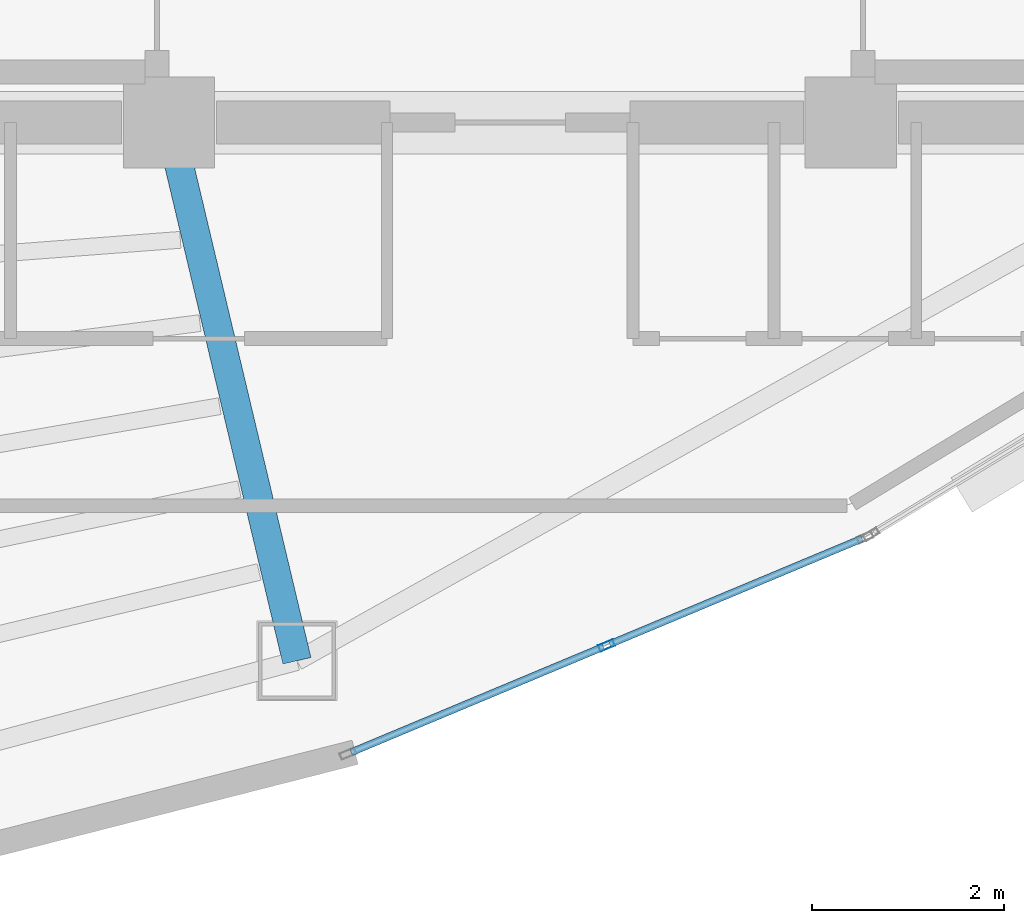
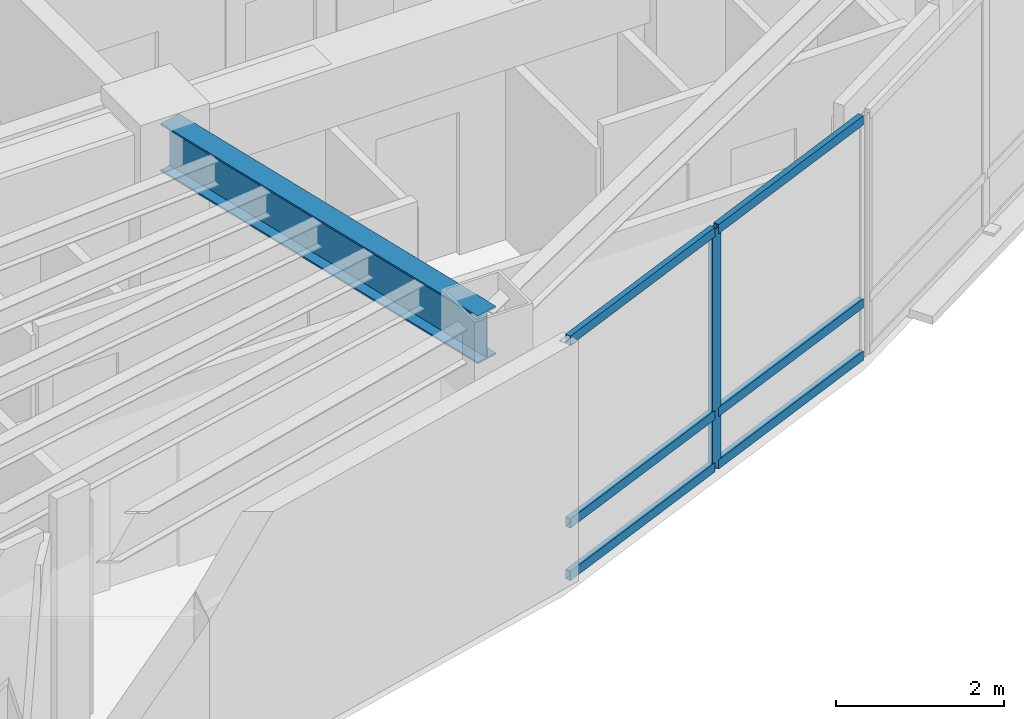
# One storey, part 3 of 15: 7 members, 1 beam, 1 element without a shape of its own.
"""IFC4 building model written with IfcOpenShell, lengths in metres."""

from ifc_helpers import new_model, si_unit, direction, frame, origin, origin_2d, place, context, subcontext, project, spatial, hollow_rectangle, i_section, extrude, material, layer, layer_set, material_profile, profile_set, type_object, element, aggregate, save


model = new_model("IFC4")

# Units and contexts
model_context = context("Model", 3, precision=1e-05, world=origin(), true_north=direction((0.0, 1.0)))
body_context = subcontext(model_context, "Body", "Model", "MODEL_VIEW")
ifc_project = project(units=[si_unit("LENGTHUNIT", "METRE"), si_unit("AREAUNIT", "SQUARE_METRE"), si_unit("VOLUMEUNIT", "CUBIC_METRE"), si_unit("PLANEANGLEUNIT", "RADIAN"), si_unit("MASSUNIT", "GRAM", prefix="KILO")], contexts=[model_context])

# Site, building, storey
site_placement = place(None, origin())
site = spatial("IfcSite", under=ifc_project, at=site_placement, CompositionType="ELEMENT")
building_placement = place(site_placement, origin())
building = spatial("IfcBuilding", under=site, at=building_placement, Name="Menara Vayukalpa", CompositionType="ELEMENT")
storey_placement = place(building_placement, frame((0.0, 0.0, 250.860107421875)))
storey = spatial("IfcBuildingStorey", under=building, at=storey_placement, Name="L63", CompositionType="ELEMENT", Elevation=250.860107421875)

# Beam
ifc_material_1 = material(Name="Steel S355", Category="steel")
ifc_material_profile_1 = material_profile(ifc_material_1, i_section(OverallWidth=0.300048828125, OverallDepth=0.699951171875, WebThickness=0.012939453125, FlangeThickness=0.02392578125, at=origin_2d()), Name="WF 700x300x13x24")
ifc_profile_set_1 = profile_set([ifc_material_profile_1], Name="Steel S355")
beam_type = type_object("IfcBeamType", Name="BM-PG5", PredefinedType="BEAM", material=ifc_profile_set_1)
beam_placement = place(storey_placement, frame((22.10791015625, 16.956787109375, 3.14990234375), z_axis=(0.231167310854, -0.972914011818, 0.0), x_axis=(0.972914011818, 0.231167310854, 0.0)))
element("IfcBeam", 1, at=beam_placement, inside=storey, type_object=beam_type, Name="L63 Primary Radial Girder RG08", PredefinedType="BEAM", context=body_context, shape_type="SweptSolid", body=[
    extrude(i_section(OverallWidth=0.300048828125, OverallDepth=0.699951171875, WebThickness=0.012939453125, FlangeThickness=0.02392578125, at=origin_2d()), origin(), (0.0, 0.0, 1.0), 5.5107421875),
])

# Curtain wall, members
ifc_material_2 = material(Name="Anodised Terracotta Aluminium Alloy 6063-T6", Category="masonry")
ifc_layer = layer(ifc_material_2, 0.1650390625)
ifc_layer_set = layer_set([ifc_layer], Name="Anodised Terracotta Aluminium Alloy 6063-T6")
curtain_wall_type = type_object("IfcCurtainWallType", Name="CW-CW6", PredefinedType="USERDEFINED", material=ifc_layer_set)
curtain_wall_placement = place(storey_placement, origin())
curtain_wall = element("IfcCurtainWall", 2, at=curtain_wall_placement, inside=storey, type_object=curtain_wall_type, Name="L63 Observation and Executive Curtain Wall CW6 16", ObjectType="UNITISED", PredefinedType="USERDEFINED")
ifc_material_3 = material(Name="Anodised Terracotta Aluminium Alloy 6063-T6", Category="masonry")
ifc_material_profile_2 = material_profile(ifc_material_3, hollow_rectangle(XDim=0.070068359375, YDim=0.1650390625, WallThickness=0.00390625, at=origin_2d()), Name="ALU 70x165x4")
ifc_profile_set_2 = profile_set([ifc_material_profile_2], Name="Anodised Terracotta Aluminium Alloy 6063-T6")
member_type_1 = type_object("IfcMemberType", Name="CWM-CW6", PredefinedType="MULLION", material=ifc_profile_set_2)
member_1_placement = place(storey_placement, frame((26.60595703125, 11.7548828125, 0.0), z_axis=(0.0, 0.0, 1.0), x_axis=(-0.385899911703, 0.922540653927, 0.0)))
member_1 = element("IfcMember", 3, at=member_1_placement, type_object=member_type_1, Name="CW6 mullion 2", PredefinedType="MULLION", context=body_context, shape_type="SweptSolid", body=[
    extrude(hollow_rectangle(XDim=0.070068359375, YDim=0.1650390625, WallThickness=0.00390625, at=origin_2d()), origin(), (0.0, 0.0, 1.0), 3.5),
])
ifc_material_4 = material(Name="Anodised Terracotta Aluminium Alloy 6063-T6", Category="masonry")
ifc_material_profile_3 = material_profile(ifc_material_4, hollow_rectangle(XDim=0.074951171875, YDim=0.135009765625, WallThickness=0.00390625, at=origin_2d()), Name="ALU 75x135x4")
ifc_profile_set_3 = profile_set([ifc_material_profile_3], Name="Anodised Terracotta Aluminium Alloy 6063-T6")
member_type_2 = type_object("IfcMemberType", Name="CWT-CW6", PredefinedType="USERDEFINED", material=ifc_profile_set_3)
member_2_placement = place(storey_placement, frame((23.945556640625, 10.64208984375, 0.037353515625), z_axis=(0.922541050276, 0.38589896418, 0.0), x_axis=(-0.38589896418, 0.922541050276, 0.0)))
member_2 = element("IfcMember", 4, at=member_2_placement, type_object=member_type_2, Name="CW6 transom 1.1", ObjectType="TRANSOM", PredefinedType="USERDEFINED", context=body_context, shape_type="SweptSolid", body=[
    extrude(hollow_rectangle(XDim=0.074951171875, YDim=0.135009765625, WallThickness=0.00390625, at=origin_2d()), origin(), (0.0, 0.0, 1.0), 2.848876953125),
])
member_3_placement = place(storey_placement, frame((23.945556640625, 10.64208984375, 0.7998046875), z_axis=(0.922541050276, 0.38589896418, 0.0), x_axis=(-0.38589896418, 0.922541050276, 0.0)))
member_3 = element("IfcMember", 5, at=member_3_placement, type_object=member_type_2, Name="CW6 transom 1.2", ObjectType="TRANSOM", PredefinedType="USERDEFINED", context=body_context, shape_type="SweptSolid", body=[
    extrude(hollow_rectangle(XDim=0.074951171875, YDim=0.135009765625, WallThickness=0.00390625, at=origin_2d()), origin(), (0.0, 0.0, 1.0), 2.848876953125),
])
member_4_placement = place(storey_placement, frame((23.945556640625, 10.64208984375, 3.46240234375), z_axis=(0.922541050276, 0.38589896418, 0.0), x_axis=(-0.38589896418, 0.922541050276, 0.0)))
member_4 = element("IfcMember", 6, at=member_4_placement, type_object=member_type_2, Name="CW6 transom 1.3", ObjectType="TRANSOM", PredefinedType="USERDEFINED", context=body_context, shape_type="SweptSolid", body=[
    extrude(hollow_rectangle(XDim=0.074951171875, YDim=0.135009765625, WallThickness=0.00390625, at=origin_2d()), origin(), (0.0, 0.0, 1.0), 2.848876953125),
])
member_5_placement = place(storey_placement, frame((26.638427734375, 11.768310546875, 0.037353515625), z_axis=(0.922528286758, 0.385929475592, 0.0), x_axis=(-0.385929475592, 0.922528286758, 0.0)))
member_5 = element("IfcMember", 7, at=member_5_placement, type_object=member_type_2, Name="CW6 transom 2.1", ObjectType="TRANSOM", PredefinedType="USERDEFINED", context=body_context, shape_type="SweptSolid", body=[
    extrude(hollow_rectangle(XDim=0.074951171875, YDim=0.135009765625, WallThickness=0.00390625, at=origin_2d()), origin(), (0.0, 0.0, 1.0), 2.8486328125),
])
member_6_placement = place(storey_placement, frame((26.638427734375, 11.768310546875, 0.7998046875), z_axis=(0.922528286758, 0.385929475592, 0.0), x_axis=(-0.385929475592, 0.922528286758, 0.0)))
member_6 = element("IfcMember", 8, at=member_6_placement, type_object=member_type_2, Name="CW6 transom 2.2", ObjectType="TRANSOM", PredefinedType="USERDEFINED", context=body_context, shape_type="SweptSolid", body=[
    extrude(hollow_rectangle(XDim=0.074951171875, YDim=0.135009765625, WallThickness=0.00390625, at=origin_2d()), origin(), (0.0, 0.0, 1.0), 2.8486328125),
])
member_7_placement = place(storey_placement, frame((26.638427734375, 11.768310546875, 3.46240234375), z_axis=(0.922528286758, 0.385929475592, 0.0), x_axis=(-0.385929475592, 0.922528286758, 0.0)))
member_7 = element("IfcMember", 9, at=member_7_placement, type_object=member_type_2, Name="CW6 transom 2.3", ObjectType="TRANSOM", PredefinedType="USERDEFINED", context=body_context, shape_type="SweptSolid", body=[
    extrude(hollow_rectangle(XDim=0.074951171875, YDim=0.135009765625, WallThickness=0.00390625, at=origin_2d()), origin(), (0.0, 0.0, 1.0), 2.8486328125),
])
aggregate(curtain_wall, [member_1, member_2, member_3, member_4, member_5, member_6, member_7])

save(model, "model.ifc")
